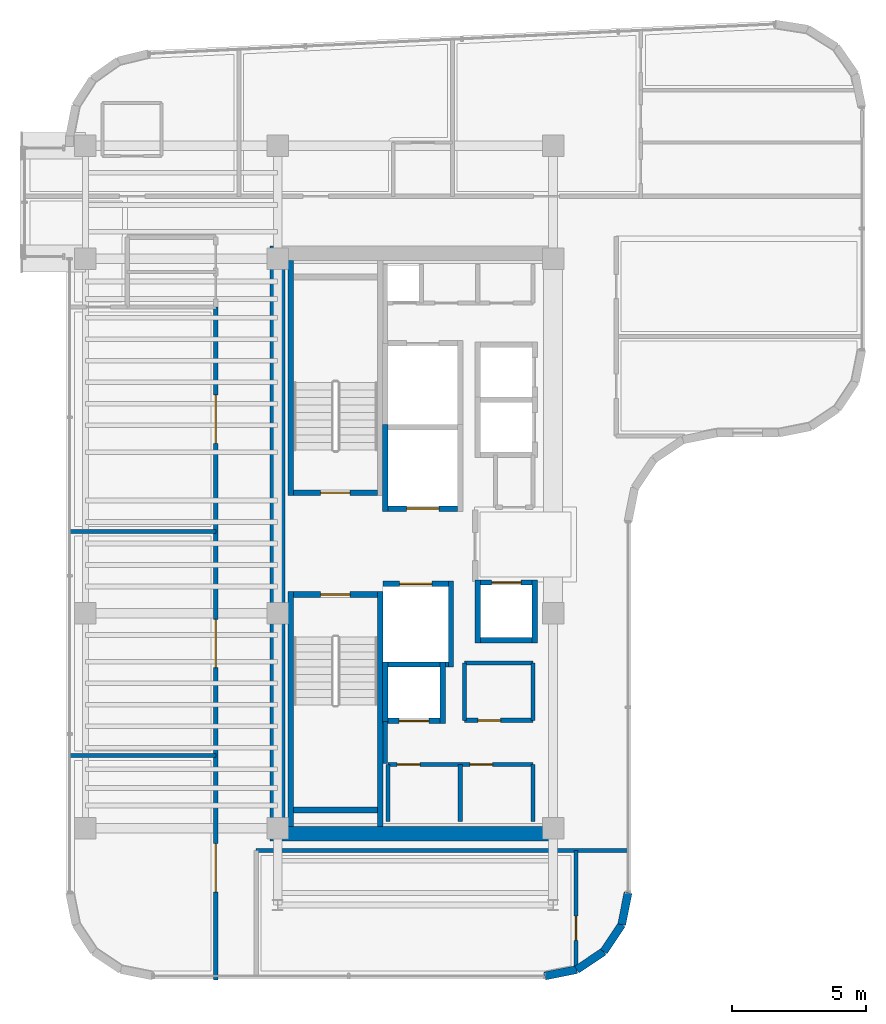
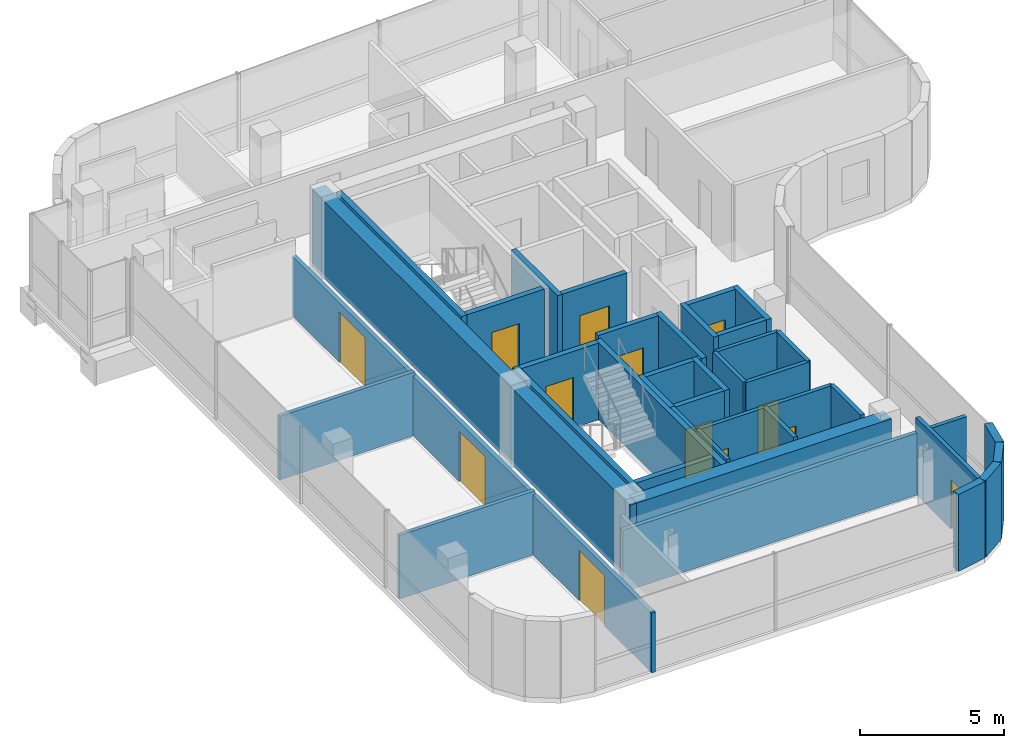
# One storey, part 16 of 21: 38 walls, 13 doors, 13 openings.
"""IFC4 building model written with IfcOpenShell, lengths in metres."""

import ifcopenshell
import ifcopenshell.guid

model = None  # the IFC model being written
_history = None  # IfcOwnerHistory: only IFC2X3 demands one
_inside = {}  # id of a spatial element -> (the spatial element, [elements in it])
_under = {}  # id of a project, library or spatial element -> (it, [spatial elements below it])
_declared = {}  # id of a project -> (the project, [libraries it declares])
_typed = {}  # id of a type object -> (the type object, [elements of that type])
_made_of = {}  # id of a material, layer set ... -> (it, [elements and type objects made of it])


def new_model(schema):
    """Start an empty IFC model of exactly this schema.

    Asked for "IFC4X3", IfcOpenShell would pick the latest addendum, in which some entities
    have other attributes; the version numbers below select the first issue.
    IFC2X3 requires an IfcOwnerHistory on every rooted entity: one is made here for all.
    """
    global model, _history
    if schema == "IFC4X3":
        model = ifcopenshell.file(schema_version=(4, 3, 0, 0))
    else:
        model = ifcopenshell.file(schema=schema)
    _inside.clear()
    _under.clear()
    _declared.clear()
    _typed.clear()
    _made_of.clear()
    _history = None
    if model.schema == "IFC2X3":
        org = make("IfcOrganization", Name="unknown")
        user = make(
            "IfcPersonAndOrganization",
            ThePerson=make("IfcPerson", FamilyName="unknown"),
            TheOrganization=org,
        )
        app = make(
            "IfcApplication",
            ApplicationDeveloper=org,
            Version="unknown",
            ApplicationFullName="unknown",
            ApplicationIdentifier="unknown",
        )
        _history = make(
            "IfcOwnerHistory",
            OwningUser=user,
            OwningApplication=app,
            ChangeAction="ADDED",
            CreationDate=0,
        )
    return model


def make(cls, **values):
    """One entity of the class cls with the attributes given. An attribute that is None is left unset."""
    return model.create_entity(
        cls, **{name: value for name, value in values.items() if value is not None}
    )


def rooted(cls, **values):
    """An entity with a GlobalId (a new one), such as an element, a storey or a relation."""
    return make(cls, GlobalId=ifcopenshell.guid.new(), OwnerHistory=_history, **values)


def si_unit(unit_type, name, prefix=None):
    """IfcSIUnit, for example si_unit("LENGTHUNIT", "METRE", prefix="MILLI")."""
    return make("IfcSIUnit", UnitType=unit_type, Prefix=prefix, Name=name)


def assignment(units):
    """IfcUnitAssignment: the units of a project."""
    return None if units is None else make("IfcUnitAssignment", Units=units)


def point(xyz):
    """IfcCartesianPoint."""
    return None if xyz is None else make("IfcCartesianPoint", Coordinates=xyz)


def direction(xyz):
    """IfcDirection."""
    return None if xyz is None else make("IfcDirection", DirectionRatios=xyz)


def frame(location, z_axis=None, x_axis=None):
    """IfcAxis2Placement3D, a coordinate frame: its origin and axes. An axis left out is left unset."""
    return make(
        "IfcAxis2Placement3D",
        Location=point(location),
        Axis=direction(z_axis),
        RefDirection=direction(x_axis),
    )


def frame_2d(location, x_axis=None):
    """IfcAxis2Placement2D, a coordinate frame in the plane: its origin and x axis."""
    return make(
        "IfcAxis2Placement2D", Location=point(location), RefDirection=direction(x_axis)
    )


def origin():
    """The frame at (0, 0, 0) with its axes left unset."""
    return frame((0.0, 0.0, 0.0))


def place(relative_to, where):
    """IfcLocalPlacement: puts the frame where relative to a parent placement (None: the world)."""
    return make(
        "IfcLocalPlacement", PlacementRelTo=relative_to, RelativePlacement=where
    )


def context(
    kind, dimensions, precision=None, world=None, true_north=None, identifier=None
):
    """IfcGeometricRepresentationContext, for example the 3D "Model" context."""
    return make(
        "IfcGeometricRepresentationContext",
        ContextIdentifier=identifier,
        ContextType=kind,
        CoordinateSpaceDimension=dimensions,
        Precision=precision,
        WorldCoordinateSystem=world,
        TrueNorth=true_north,
    )


def subcontext(parent, identifier, kind, view, scale=None):
    """IfcGeometricRepresentationSubContext, for example "Body" below "Model"."""
    return make(
        "IfcGeometricRepresentationSubContext",
        ContextIdentifier=identifier,
        ContextType=kind,
        ParentContext=parent,
        TargetScale=scale,
        TargetView=view,
    )


def project(units=None, contexts=None):
    """IfcProject with its units and contexts."""
    return rooted(
        "IfcProject",
        Name="project",
        RepresentationContexts=contexts,
        UnitsInContext=assignment(units),
    )


def spatial(cls, under=None, at=None, **own):
    """A site, building, storey or space (cls), placed at a placement, below another one or the project."""
    s = rooted(cls, ObjectPlacement=at, **own)
    if under is not None:
        _under.setdefault(under.id(), (under, []))[1].append(s)
    return s


def profile(cls, at=None, kind="AREA", **sizes):
    """A parametric profile (cls). Its sizes go by their IFC names, for example OverallWidth=200.0."""
    return make(cls, ProfileType=kind, Position=at, **sizes)


def rectangle(**sizes):
    """IfcRectangleProfileDef."""
    return profile("IfcRectangleProfileDef", **sizes)


def extrude(swept, where, along, depth):
    """IfcExtrudedAreaSolid: the profile swept, set in the frame where, extruded along a direction by depth."""
    return make(
        "IfcExtrudedAreaSolid",
        SweptArea=swept,
        Position=where,
        ExtrudedDirection=direction(along),
        Depth=depth,
    )


def shape(context_of_items, identifier, shape_type, items):
    """IfcShapeRepresentation: the items that make up one representation, for example the "Body"."""
    return make(
        "IfcShapeRepresentation",
        ContextOfItems=context_of_items,
        RepresentationIdentifier=identifier,
        RepresentationType=shape_type,
        Items=items,
    )


def material(Name=None, Category=None):
    """IfcMaterial."""
    return make("IfcMaterial", Name=Name, Category=Category)


def layer(
    of_material, thickness, ventilated=None, Name=None, Category=None, Priority=None
):
    """IfcMaterialLayer: one layer of a wall or slab, of a material (None: an air gap)."""
    return make(
        "IfcMaterialLayer",
        Material=of_material,
        LayerThickness=thickness,
        IsVentilated=ventilated,
        Name=Name,
        Category=Category,
        Priority=Priority,
    )


def layer_set(layers, Name=None):
    """IfcMaterialLayerSet."""
    return make("IfcMaterialLayerSet", MaterialLayers=layers, LayerSetName=Name)


def made_of(thing, what):
    """Note that an element or type object is made of a material, layer set ...; save() writes the relation."""
    if what is not None:
        _made_of.setdefault(what.id(), (what, []))[1].append(thing)
    return thing


def type_object(cls, material=None, **own):
    """A type object (cls), such as IfcWallType, which elements share."""
    return made_of(rooted(cls, **own), material)


def element(
    cls,
    number,
    at=None,
    inside=None,
    cuts=None,
    type_object=None,
    material=None,
    context=None,
    identifier="Body",
    shape_type=None,
    held_by="IfcProductDefinitionShape",
    body=None,
    shapes=None,
    **own,
):
    """One element of the class cls, such as IfcWall. Its Tag is "e" and its number.

    at: its placement. inside: the storey or other place that contains it. cuts: it is an
    opening in that element (IfcRelVoidsElement). A single representation is given by context,
    identifier, shape_type and body (its items); several are given by shapes. held_by: the class
    of the entity that holds the representations. save() writes the other relations.
    """
    e = rooted(cls, Tag="e%d" % number, ObjectPlacement=at, **own)
    if body is not None:
        shapes = [shape(context, identifier, shape_type, body)]
    if shapes is not None:
        e.Representation = make(held_by, Representations=shapes)
    if inside is not None:
        _inside.setdefault(inside.id(), (inside, []))[1].append(e)
    if cuts is not None:
        rooted(
            "IfcRelVoidsElement", RelatingBuildingElement=cuts, RelatedOpeningElement=e
        )
    if type_object is not None:
        _typed.setdefault(type_object.id(), (type_object, []))[1].append(e)
    return made_of(e, material)


def fill(opening, filler):
    """IfcRelFillsElement: the door or window that sits in an opening."""
    return rooted(
        "IfcRelFillsElement",
        RelatingOpeningElement=opening,
        RelatedBuildingElement=filler,
    )


def aggregate(whole, parts):
    """IfcRelAggregates: a whole, such as a stair, and the parts it consists of."""
    return rooted("IfcRelAggregates", RelatingObject=whole, RelatedObjects=parts)


def save(model, path):
    """Write the relations noted so far, then the file.

    IfcRelAggregates (storeys below a building ...), IfcRelContainedInSpatialStructure (elements
    in a storey), IfcRelDefinesByType, IfcRelAssociatesMaterial and IfcRelDeclares: one each for
    every whole, place, type object, material and project.
    """
    for whole, parts in _under.values():
        aggregate(whole, parts)
    for where, things in _inside.values():
        rooted(
            "IfcRelContainedInSpatialStructure",
            RelatedElements=things,
            RelatingStructure=where,
        )
    for kind, things in _typed.values():
        rooted("IfcRelDefinesByType", RelatedObjects=things, RelatingType=kind)
    for what, things in _made_of.values():
        rooted("IfcRelAssociatesMaterial", RelatedObjects=things, RelatingMaterial=what)
    for by, libraries in _declared.values():
        rooted("IfcRelDeclares", RelatingContext=by, RelatedDefinitions=libraries)
    model.write(path)


model = new_model("IFC4")

# Units and contexts
model_context = context("Model", 3, precision=1e-05, world=origin(), true_north=direction((0.0, 1.0)))
body_context = subcontext(model_context, "Body", "Model", "MODEL_VIEW")
ifc_project = project(units=[si_unit("LENGTHUNIT", "METRE"), si_unit("AREAUNIT", "SQUARE_METRE"), si_unit("VOLUMEUNIT", "CUBIC_METRE"), si_unit("PLANEANGLEUNIT", "RADIAN"), si_unit("MASSUNIT", "GRAM", prefix="KILO")], contexts=[model_context])

# Site, building, storey
site_placement = place(None, origin())
site = spatial("IfcSite", under=ifc_project, at=site_placement, CompositionType="ELEMENT")
building_placement = place(site_placement, origin())
building = spatial("IfcBuilding", under=site, at=building_placement, Name="Valdorenza Pilgrim Sanctuary Tower", CompositionType="ELEMENT")
storey_placement = place(building_placement, frame((0.0, 0.0, 251.0)))
storey = spatial("IfcBuildingStorey", under=building, at=storey_placement, Name="L65", CompositionType="ELEMENT", Elevation=251.0)

# Wall
ifc_material_1 = material(Name="Acoustic twin-stud gypsum partition", Category="gypsum")
ifc_layer_1 = layer(ifc_material_1, 0.159912109375, Name="Acoustic twin-stud gypsum partition")
ifc_layer_set_1 = layer_set([ifc_layer_1], Name="Acoustic twin-stud gypsum partition")
wall_type_1 = type_object("IfcWallType", Name="WAL-COR-160", PredefinedType="PARTITIONING", material=ifc_layer_set_1)
wall_1_placement = place(storey_placement, frame((-18.64990234375, -8.179931640625, 0.0), z_axis=(0.0, 0.0, 1.0), x_axis=(0.0, 1.0, 0.0)))
element("IfcWall", 1, at=wall_1_placement, inside=storey, type_object=wall_type_1, Name="L65 Core A South Lift Hall West Wall", PredefinedType="PARTITIONING", context=body_context, shape_type="SweptSolid", body=[
    extrude(rectangle(XDim=1.559814453125, YDim=0.159912109375, at=frame_2d((0.77978515625, 0.0))), origin(), (0.0, 0.0, 1.0), 3.260009765625),
])

# Wall, openings, doors
wall_2_placement = place(storey_placement, frame((-18.550048828125, -8.219970703125, 0.0), z_axis=(0.0, 0.0, 1.0), x_axis=(1.0, 0.0, 0.0)))
wall_2 = element("IfcWall", 2, at=wall_2_placement, inside=storey, type_object=wall_type_1, Name="L65 Freed Shaft 1 North Wall", PredefinedType="PARTITIONING", context=body_context, shape_type="SweptSolid", body=[
    extrude(rectangle(XDim=5.400146484375, YDim=0.159912109375, at=frame_2d((2.7001953125, 0.0))), origin(), (0.0, 0.0, 1.0), 3.260009765625),
])
opening_1_placement = place(wall_2_placement, frame((0.35009765625, 0.0, 0.0)))
opening_1 = element("IfcOpeningElement", 3, at=opening_1_placement, cuts=wall_2, Name="Opening DR-RS1", PredefinedType="OPENING", context=body_context, shape_type="SweptSolid", body=[
    extrude(rectangle(XDim=0.85009765625, YDim=2.050048828125, at=frame_2d((0.425048828125, 1.02490234375))), frame((0.0, 0.0947265625, 0.0), z_axis=(0.0, -1.0, 0.0), x_axis=(1.0, 0.0, 0.0)), (0.0, 0.0, 1.0), 0.189697265625),
])
opening_2_placement = place(wall_2_placement, frame((3.050048828125, 0.0, 0.0)))
opening_2 = element("IfcOpeningElement", 4, at=opening_2_placement, cuts=wall_2, Name="Opening DR-RS1", PredefinedType="OPENING", context=body_context, shape_type="SweptSolid", body=[
    extrude(rectangle(XDim=0.85009765625, YDim=2.050048828125, at=frame_2d((0.425048828125, 1.02490234375))), frame((0.0, 0.0947265625, 0.0), z_axis=(0.0, -1.0, 0.0), x_axis=(1.0, 0.0, 0.0)), (0.0, 0.0, 1.0), 0.189697265625),
])
ifc_material_2 = material(Name="Painted galvanized steel", Category="steel")
door_type_1 = type_object("IfcDoorType", Name="DR-RSR-850", OperationType="NOTDEFINED", PredefinedType="DOOR", material=ifc_material_2)
door_1_placement = place(opening_1_placement, origin())
door_1 = element("IfcDoor", 5, at=door_1_placement, inside=storey, type_object=door_type_1, Name="L65 Linen Store Door", OperationType="SINGLE_SWING_RIGHT", OverallHeight=2.050048828125, OverallWidth=0.85009765625, PredefinedType="DOOR", context=body_context, shape_type="SweptSolid", body=[
    extrude(rectangle(XDim=0.85009765625, YDim=2.050048828125, at=frame_2d((0.425048828125, 1.02490234375))), frame((0.0, 0.02490234375, 0.0), z_axis=(0.0, -1.0, 0.0), x_axis=(1.0, 0.0, 0.0)), (0.0, 0.0, 1.0), 0.050048828125),
])
fill(opening_1, door_1)
door_2_placement = place(opening_2_placement, origin())
door_2 = element("IfcDoor", 6, at=door_2_placement, inside=storey, type_object=door_type_1, Name="L65 Cot Store Door", OperationType="SINGLE_SWING_LEFT", OverallHeight=2.050048828125, OverallWidth=0.85009765625, PredefinedType="DOOR", context=body_context, shape_type="SweptSolid", body=[
    extrude(rectangle(XDim=0.85009765625, YDim=2.050048828125, at=frame_2d((0.425048828125, 1.02490234375))), frame((0.0, 0.02490234375, 0.0), z_axis=(0.0, -1.0, 0.0), x_axis=(1.0, 0.0, 0.0)), (0.0, 0.0, 1.0), 0.050048828125),
])
fill(opening_2, door_2)

# Walls
for number, where, z_axis, x_axis, name in (
    (7, (-13.14990234375, -10.35009765625, 0.0), (0.0, 0.0, 1.0), (0.0, 1.0, 0.0), "L65 Freed Shaft 1 East Wall"),
    (8, (-15.85009765625, -10.35009765625, 0.0), (0.0, 0.0, 1.0), (0.0, 1.0, 0.0), "L65 Freed Shaft 1 Split Wall"),
):
    element("IfcWall", number, at=place(storey_placement, frame(where, z_axis=z_axis, x_axis=x_axis)), inside=storey, type_object=wall_type_1, Name=name, PredefinedType="PARTITIONING", context=body_context, shape_type="SweptSolid", body=[
        extrude(rectangle(XDim=2.130126953125, YDim=0.159912109375, at=frame_2d((1.06494140625, 0.0))), origin(), (0.0, 0.0, 1.0), 3.260009765625),
    ])

# Wall, opening, door
wall_3_placement = place(storey_placement, frame((-15.699951171875, -6.580078125, 0.0), z_axis=(0.0, 0.0, 1.0), x_axis=(1.0, 0.0, 0.0)))
wall_3 = element("IfcWall", 9, at=wall_3_placement, inside=storey, type_object=wall_type_1, Name="L65 Freed Shaft 2 South Wall", PredefinedType="PARTITIONING", context=body_context, shape_type="SweptSolid", body=[
    extrude(rectangle(XDim=2.550048828125, YDim=0.159912109375, at=frame_2d((1.27490234375, 0.0))), origin(), (0.0, 0.0, 1.0), 3.260009765625),
])
opening_3_placement = place(wall_3_placement, frame((0.5, 0.0, 0.0)))
opening_3 = element("IfcOpeningElement", 10, at=opening_3_placement, cuts=wall_3, Name="Opening DR-RS1", PredefinedType="OPENING", context=body_context, shape_type="SweptSolid", body=[
    extrude(rectangle(XDim=0.85009765625, YDim=2.050048828125, at=frame_2d((0.425048828125, 1.02490234375))), frame((0.0, 0.0947265625, 0.0), z_axis=(0.0, -1.0, 0.0), x_axis=(1.0, 0.0, 0.0)), (0.0, 0.0, 1.0), 0.189697265625),
])
door_3_placement = place(opening_3_placement, origin())
door_3 = element("IfcDoor", 11, at=door_3_placement, inside=storey, type_object=door_type_1, Name="L65 Guest Tea Pantry Door", OperationType="SINGLE_SWING_RIGHT", OverallHeight=2.050048828125, OverallWidth=0.85009765625, PredefinedType="DOOR", context=body_context, shape_type="SweptSolid", body=[
    extrude(rectangle(XDim=0.85009765625, YDim=2.050048828125, at=frame_2d((0.425048828125, 1.02490234375))), frame((0.0, 0.02490234375, 0.0), z_axis=(0.0, -1.0, 0.0), x_axis=(1.0, 0.0, 0.0)), (0.0, 0.0, 1.0), 0.050048828125),
])
fill(opening_3, door_3)

# Walls
wall_4_placement = place(storey_placement, frame((-13.14990234375, -6.580078125, 0.0), z_axis=(0.0, 0.0, 1.0), x_axis=(0.0, 1.0, 0.0)))
element("IfcWall", 12, at=wall_4_placement, inside=storey, type_object=wall_type_1, Name="L65 Freed Shaft 2 East Wall", PredefinedType="PARTITIONING", context=body_context, shape_type="SweptSolid", body=[
    extrude(rectangle(XDim=2.130126953125, YDim=0.159912109375, at=frame_2d((1.06494140625, 0.0))), origin(), (0.0, 0.0, 1.0), 3.260009765625),
])
wall_5_placement = place(storey_placement, frame((-23.449951171875, -11.419921875, 0.0), z_axis=(0.0, 0.0, 1.0), x_axis=(1.0, 0.0, 0.0)))
element("IfcWall", 13, at=wall_5_placement, inside=storey, type_object=wall_type_1, Name="L65 South-East Pocket North Wall", PredefinedType="PARTITIONING", context=body_context, shape_type="SweptSolid", body=[
    extrude(rectangle(XDim=13.83984375, YDim=0.159912109375, at=frame_2d((6.919921875, 0.0))), origin(), (0.0, 0.0, 1.0), 2.634033203125),
])

# Wall, openings, doors
wall_6_placement = place(storey_placement, frame((-24.949951171875, -16.239990234375, 0.0), z_axis=(0.0, 0.0, 1.0), x_axis=(0.0, 1.0, 0.0)))
wall_6 = element("IfcWall", 14, at=wall_6_placement, inside=storey, type_object=wall_type_1, Name="L65 West Wing Corridor Wall", PredefinedType="PARTITIONING", context=body_context, shape_type="SweptSolid", body=[
    extrude(rectangle(XDim=25.0400390625, YDim=0.159912109375, at=frame_2d((12.52001953125, 0.0))), origin(), (0.0, 0.0, 1.0), 2.5439453125),
])
opening_4_placement = place(wall_6_placement, frame((3.27294921875, 0.0, 0.0)))
opening_4 = element("IfcOpeningElement", 15, at=opening_4_placement, cuts=wall_6, Name="Opening DR-HL1", PredefinedType="OPENING", context=body_context, shape_type="SweptSolid", body=[
    extrude(rectangle(XDim=1.800048828125, YDim=2.14990234375, at=frame_2d((0.89990234375, 1.074951171875))), frame((0.0, 0.0947265625, 0.0), z_axis=(0.0, -1.0, 0.0), x_axis=(1.0, 0.0, 0.0)), (0.0, 0.0, 1.0), 0.189697265625),
])
opening_5_placement = place(wall_6_placement, frame((11.6201171875, 0.0, 0.0)))
opening_5 = element("IfcOpeningElement", 16, at=opening_5_placement, cuts=wall_6, Name="Opening DR-HL1", PredefinedType="OPENING", context=body_context, shape_type="SweptSolid", body=[
    extrude(rectangle(XDim=1.800048828125, YDim=2.14990234375, at=frame_2d((0.89990234375, 1.074951171875))), frame((0.0, 0.0947265625, 0.0), z_axis=(0.0, -1.0, 0.0), x_axis=(1.0, 0.0, 0.0)), (0.0, 0.0, 1.0), 0.189697265625),
])
opening_6_placement = place(wall_6_placement, frame((19.967041015625, 0.0, 0.0)))
opening_6 = element("IfcOpeningElement", 17, at=opening_6_placement, cuts=wall_6, Name="Opening DR-HL1", PredefinedType="OPENING", context=body_context, shape_type="SweptSolid", body=[
    extrude(rectangle(XDim=1.800048828125, YDim=2.14990234375, at=frame_2d((0.89990234375, 1.074951171875))), frame((0.0, 0.0947265625, 0.0), z_axis=(0.0, -1.0, 0.0), x_axis=(1.0, 0.0, 0.0)), (0.0, 0.0, 1.0), 0.189697265625),
])
ifc_material_3 = material(Name="Acoustic oak and vision-glass double door", Category="glass")
door_type_2 = type_object("IfcDoorType", Name="DR-HALL-1800", OperationType="NOTDEFINED", PredefinedType="DOOR", material=ifc_material_3)
door_4_placement = place(opening_4_placement, frame((1.800048828125, 0.0, 0.0), z_axis=(0.0, 0.0, 1.0), x_axis=(-1.0, 0.0, 0.0)))
door_4 = element("IfcDoor", 18, at=door_4_placement, inside=storey, type_object=door_type_2, Name="L65 Theological Seminar Classroom L65-W1 Door", OperationType="DOUBLE_DOOR_SINGLE_SWING", OverallHeight=2.14990234375, OverallWidth=1.800048828125, PredefinedType="DOOR", context=body_context, shape_type="SweptSolid", body=[
    extrude(rectangle(XDim=1.800048828125, YDim=2.14990234375, at=frame_2d((0.89990234375, 1.074951171875))), frame((0.0, 0.02490234375, 0.0), z_axis=(0.0, -1.0, 0.0), x_axis=(1.0, 0.0, 0.0)), (0.0, 0.0, 1.0), 0.050048828125),
])
fill(opening_4, door_4)
door_5_placement = place(opening_5_placement, origin())
door_5 = element("IfcDoor", 19, at=door_5_placement, inside=storey, type_object=door_type_2, Name="L65 Theological Seminar Classroom L65-W2 Door", OperationType="DOUBLE_DOOR_SINGLE_SWING", OverallHeight=2.14990234375, OverallWidth=1.800048828125, PredefinedType="DOOR", context=body_context, shape_type="SweptSolid", body=[
    extrude(rectangle(XDim=1.800048828125, YDim=2.14990234375, at=frame_2d((0.89990234375, 1.074951171875))), frame((0.0, 0.02490234375, 0.0), z_axis=(0.0, -1.0, 0.0), x_axis=(1.0, 0.0, 0.0)), (0.0, 0.0, 1.0), 0.050048828125),
])
fill(opening_5, door_5)
door_6_placement = place(opening_6_placement, frame((1.800048828125, 0.0, 0.0), z_axis=(0.0, 0.0, 1.0), x_axis=(-1.0, 0.0, 0.0)))
door_6 = element("IfcDoor", 20, at=door_6_placement, inside=storey, type_object=door_type_2, Name="L65 Theological Seminar Classroom L65-W3 Door", OperationType="DOUBLE_DOOR_SINGLE_SWING", OverallHeight=2.14990234375, OverallWidth=1.800048828125, PredefinedType="DOOR", context=body_context, shape_type="SweptSolid", body=[
    extrude(rectangle(XDim=1.800048828125, YDim=2.14990234375, at=frame_2d((0.89990234375, 1.074951171875))), frame((0.0, 0.02490234375, 0.0), z_axis=(0.0, -1.0, 0.0), x_axis=(1.0, 0.0, 0.0)), (0.0, 0.0, 1.0), 0.050048828125),
])
fill(opening_6, door_6)

# Wall, opening, door
wall_7_placement = place(storey_placement, frame((-11.550048828125, -15.7236328125, 0.0), z_axis=(0.0, 0.0, 1.0), x_axis=(0.0, 1.0, 0.0)))
wall_7 = element("IfcWall", 21, at=wall_7_placement, inside=storey, type_object=wall_type_1, Name="L65 South-East Concourse Wall", PredefinedType="PARTITIONING", context=body_context, shape_type="SweptSolid", body=[
    extrude(rectangle(XDim=4.3037109375, YDim=0.159912109375, at=frame_2d((2.15185546875, 0.0))), origin(), (0.0, 0.0, 1.0), 3.260009765625),
])
opening_7_placement = place(wall_7_placement, frame((0.9599609375, 0.0, 0.0)))
opening_7 = element("IfcOpeningElement", 22, at=opening_7_placement, cuts=wall_7, Name="Opening DR-RM1", PredefinedType="OPENING", context=body_context, shape_type="SweptSolid", body=[
    extrude(rectangle(XDim=0.89990234375, YDim=2.10009765625, at=frame_2d((0.449951171875, 1.050048828125))), frame((0.0, 0.0947265625, 0.0), z_axis=(0.0, -1.0, 0.0), x_axis=(1.0, 0.0, 0.0)), (0.0, 0.0, 1.0), 0.189697265625),
])
ifc_material_4 = material(Name="Solid-core European oak timber", Category="wood")
door_type_3 = type_object("IfcDoorType", Name="DR-ROOM-900", OperationType="NOTDEFINED", PredefinedType="DOOR", material=ifc_material_4)
door_7_placement = place(opening_7_placement, origin())
door_7 = element("IfcDoor", 23, at=door_7_placement, inside=storey, type_object=door_type_3, Name="L65 South Contemplation Lounge L65 Door", OperationType="SINGLE_SWING_RIGHT", OverallHeight=2.10009765625, OverallWidth=0.89990234375, PredefinedType="DOOR", context=body_context, shape_type="SweptSolid", body=[
    extrude(rectangle(XDim=0.89990234375, YDim=2.10009765625, at=frame_2d((0.449951171875, 1.050048828125))), frame((0.0, 0.02490234375, 0.0), z_axis=(0.0, -1.0, 0.0), x_axis=(1.0, 0.0, 0.0)), (0.0, 0.0, 1.0), 0.050048828125),
])
fill(opening_7, door_7)

# Walls
ifc_material_5 = material(Name="Concrete C50/60", Category="concrete")
ifc_layer_2 = layer(ifc_material_5, 0.550048828125, Name="Concrete C50/60")
ifc_layer_set_2 = layer_set([ifc_layer_2], Name="Concrete C50/60")
wall_type_2 = type_object("IfcWallType", Name="WAL-COR-550", PredefinedType="SHEAR", material=ifc_layer_set_2)
wall_8_placement = place(storey_placement, frame((-22.64990234375, -11.074951171875, 0.0), z_axis=(0.0, 0.0, 1.0), x_axis=(0.0, 1.0, 0.0)))
element("IfcWall", 24, at=wall_8_placement, inside=storey, type_object=wall_type_2, Name="L65 Split Core A Shear Wall W", PredefinedType="SHEAR", context=body_context, shape_type="SweptSolid", body=[
    extrude(rectangle(XDim=22.14990234375, YDim=0.550048828125, at=frame_2d((11.074951171875, 0.0))), origin(), (0.0, 0.0, 1.0), 3.260009765625),
])
wall_9_placement = place(storey_placement, frame((-22.64990234375, -10.800048828125, 0.0), z_axis=(0.0, 0.0, 1.0), x_axis=(1.0, 0.0, 0.0)))
element("IfcWall", 25, at=wall_9_placement, inside=storey, type_object=wall_type_2, Name="L65 Split Core A Shear Wall S", PredefinedType="SHEAR", context=body_context, shape_type="SweptSolid", body=[
    extrude(rectangle(XDim=10.25, YDim=0.550048828125, at=frame_2d((5.125, 0.0))), origin(), (0.0, 0.0, 1.0), 3.260009765625),
])
ifc_material_6 = material(Name="Honed travertine limestone", Category="masonry")
ifc_layer_3 = layer(ifc_material_6, 0.300048828125, Name="Honed travertine limestone")
ifc_layer_set_3 = layer_set([ifc_layer_3], Name="Honed travertine limestone")
wall_type_3 = type_object("IfcWallType", Name="WAL-EXT-300", PredefinedType="SOLIDWALL", material=ifc_layer_set_3)
wall_10_placement = place(storey_placement, frame((-9.610107421875, -12.9892578125, 0.0), z_axis=(0.0, 0.0, 1.0), x_axis=(-0.194996050505, -0.980804027463, 0.0)))
element("IfcWall", 26, at=wall_10_placement, inside=storey, type_object=wall_type_3, Name="L65 Rounded Wind-Corner Stone Pier 22", PredefinedType="SOLIDWALL", context=body_context, shape_type="SweptSolid", body=[
    extrude(rectangle(XDim=1.2158203125, YDim=0.300048828125, at=frame_2d((0.60791015625, 0.0))), origin(), (0.0, 0.0, 1.0), 3.260009765625),
])
for number, where, z_axis, x_axis, name in (
    (27, (-9.84716796875, -14.181640625, 0.0), (0.0, 0.0, 1.0), (-0.555635100982, -0.831426265255, 0.0), "L65 Rounded Wind-Corner Stone Pier 23"),
    (28, (-10.5166015625, -15.183349609375, 0.0), (0.0, 0.0, 1.0), (-0.831426265255, -0.555635100982, 0.0), "L65 Rounded Wind-Corner Stone Pier 24"),
):
    element("IfcWall", number, at=place(storey_placement, frame(where, z_axis=z_axis, x_axis=x_axis)), inside=storey, type_object=wall_type_3, Name=name, PredefinedType="SOLIDWALL", context=body_context, shape_type="SweptSolid", body=[
        extrude(rectangle(XDim=1.204833984375, YDim=0.300048828125, at=frame_2d((0.6025390625, 0.0))), origin(), (0.0, 0.0, 1.0), 3.260009765625),
    ])
wall_11_placement = place(storey_placement, frame((-11.518310546875, -15.852783203125, 0.0), z_axis=(0.0, 0.0, 1.0), x_axis=(-0.980765602568, -0.195189223115, 0.0)))
element("IfcWall", 29, at=wall_11_placement, inside=storey, type_object=wall_type_3, Name="L65 Rounded Wind-Corner Stone Pier 25", PredefinedType="SOLIDWALL", context=body_context, shape_type="SweptSolid", body=[
    extrude(rectangle(XDim=1.2158203125, YDim=0.300048828125, at=frame_2d((0.60791015625, 0.0))), origin(), (0.0, 0.0, 1.0), 3.260009765625),
])
ifc_material_7 = material(Name="Autoclaved aerated concrete blockwork", Category="masonry")
ifc_layer_4 = layer(ifc_material_7, 0.199951171875, Name="Autoclaved aerated concrete blockwork")
ifc_layer_set_4 = layer_set([ifc_layer_4], Name="Autoclaved aerated concrete blockwork")
wall_type_4 = type_object("IfcWallType", Name="WAL-SHF-200", PredefinedType="MOVABLE", material=ifc_layer_set_4)
wall_12_placement = place(storey_placement, frame((-18.64990234375, 1.199951171875, 0.0), z_axis=(0.0, 0.0, 1.0), x_axis=(0.0, 1.0, 0.0)))
element("IfcWall", 30, at=wall_12_placement, inside=storey, type_object=wall_type_4, Name="L65 Lift FFL-01 Hoistway Wall West", PredefinedType="MOVABLE", context=body_context, shape_type="SweptSolid", body=[
    extrude(rectangle(XDim=3.22509765625, YDim=0.199951171875, at=frame_2d((1.612548828125, 0.0))), origin(), (0.0, 0.0, 1.0), 3.260009765625),
])

# Wall, opening, door
wall_13_placement = place(storey_placement, frame((-18.550048828125, 1.300048828125, 0.0), z_axis=(0.0, 0.0, 1.0), x_axis=(1.0, 0.0, 0.0)))
wall_13 = element("IfcWall", 31, at=wall_13_placement, inside=storey, type_object=wall_type_4, Name="L65 Lift FFL-01 Hoistway Wall South", PredefinedType="MOVABLE", context=body_context, shape_type="SweptSolid", body=[
    extrude(rectangle(XDim=2.60009765625, YDim=0.199951171875, at=frame_2d((1.300048828125, 0.0))), origin(), (0.0, 0.0, 1.0), 3.260009765625),
])
opening_8_placement = place(wall_13_placement, frame((0.699951171875, 0.0, 0.0)))
opening_8 = element("IfcOpeningElement", 32, at=opening_8_placement, cuts=wall_13, Name="Opening LD-02", PredefinedType="OPENING", context=body_context, shape_type="SweptSolid", body=[
    extrude(rectangle(XDim=1.199951171875, YDim=2.10009765625, at=frame_2d((0.60009765625, 1.050048828125))), frame((0.0, 0.11474609375, 0.0), z_axis=(0.0, -1.0, 0.0), x_axis=(1.0, 0.0, 0.0)), (0.0, 0.0, 1.0), 0.229736328125),
])
ifc_material_8 = material(Name="Brushed stainless steel Grade 316", Category="steel")
door_type_4 = type_object("IfcDoorType", Name="DR-LFT-1200", OperationType="DOUBLE_DOOR_SLIDING", PredefinedType="DOOR", material=ifc_material_8)
door_8_placement = place(opening_8_placement, origin())
door_8 = element("IfcDoor", 33, at=door_8_placement, inside=storey, type_object=door_type_4, Name="L65 Lift FFL-01 Sliding Landing Door", OperationType="DOUBLE_DOOR_SLIDING", OverallHeight=2.10009765625, OverallWidth=1.199951171875, PredefinedType="DOOR", context=body_context, shape_type="SweptSolid", body=[
    extrude(rectangle(XDim=1.199951171875, YDim=2.10009765625, at=frame_2d((0.60009765625, 1.050048828125))), frame((0.0, 0.02490234375, 0.0), z_axis=(0.0, -1.0, 0.0), x_axis=(1.0, 0.0, 0.0)), (0.0, 0.0, 1.0), 0.050048828125),
])
fill(opening_8, door_8)

# Walls
wall_14_placement = place(storey_placement, frame((-16.199951171875, -4.60009765625, 0.0), z_axis=(0.0, 0.0, 1.0), x_axis=(0.0, 1.0, 0.0)))
element("IfcWall", 34, at=wall_14_placement, inside=storey, type_object=wall_type_4, Name="L65 Lift FFL-02 Hoistway Wall East", PredefinedType="MOVABLE", context=body_context, shape_type="SweptSolid", body=[
    extrude(rectangle(XDim=3.2001953125, YDim=0.199951171875, at=frame_2d((1.60009765625, 0.0))), origin(), (0.0, 0.0, 1.0), 3.260009765625),
])
wall_15_placement = place(storey_placement, frame((-18.719970703125, -4.5, 0.0), z_axis=(0.0, 0.0, 1.0), x_axis=(1.0, 0.0, 0.0)))
element("IfcWall", 35, at=wall_15_placement, inside=storey, type_object=wall_type_4, Name="L65 Lift FFL-02 Hoistway Wall South", PredefinedType="MOVABLE", context=body_context, shape_type="SweptSolid", body=[
    extrude(rectangle(XDim=2.419921875, YDim=0.199951171875, at=frame_2d((1.2099609375, 0.0))), origin(), (0.0, 0.0, 1.0), 3.260009765625),
])

# Wall, opening, door
wall_16_placement = place(storey_placement, frame((-18.719970703125, -1.5, 0.0), z_axis=(0.0, 0.0, 1.0), x_axis=(1.0, 0.0, 0.0)))
wall_16 = element("IfcWall", 36, at=wall_16_placement, inside=storey, type_object=wall_type_4, Name="L65 Lift FFL-02 Hoistway Wall North", PredefinedType="MOVABLE", context=body_context, shape_type="SweptSolid", body=[
    extrude(rectangle(XDim=2.419921875, YDim=0.199951171875, at=frame_2d((1.2099609375, 0.0))), origin(), (0.0, 0.0, 1.0), 3.260009765625),
])
opening_9_placement = place(wall_16_placement, frame((0.610107421875, 0.0, 0.0)))
opening_9 = element("IfcOpeningElement", 37, at=opening_9_placement, cuts=wall_16, Name="Opening LD-02", PredefinedType="OPENING", context=body_context, shape_type="SweptSolid", body=[
    extrude(rectangle(XDim=1.199951171875, YDim=2.10009765625, at=frame_2d((0.60009765625, 1.050048828125))), frame((0.0, 0.11474609375, 0.0), z_axis=(0.0, -1.0, 0.0), x_axis=(1.0, 0.0, 0.0)), (0.0, 0.0, 1.0), 0.229736328125),
])
door_9_placement = place(opening_9_placement, origin())
door_9 = element("IfcDoor", 38, at=door_9_placement, inside=storey, type_object=door_type_4, Name="L65 Lift FFL-02 Sliding Landing Door", OperationType="DOUBLE_DOOR_SLIDING", OverallHeight=2.10009765625, OverallWidth=1.199951171875, PredefinedType="DOOR", context=body_context, shape_type="SweptSolid", body=[
    extrude(rectangle(XDim=1.199951171875, YDim=2.10009765625, at=frame_2d((0.60009765625, 1.050048828125))), frame((0.0, 0.02490234375, 0.0), z_axis=(0.0, -1.0, 0.0), x_axis=(1.0, 0.0, 0.0)), (0.0, 0.0, 1.0), 0.050048828125),
])
fill(opening_9, door_9)

# Walls
for number, where, z_axis, x_axis, name in (
    (39, (-18.64990234375, -6.699951171875, 0.0), (0.0, 0.0, 1.0), (0.0, 1.0, 0.0), "L65 Lift PL-11 Hoistway Wall West"),
    (40, (-16.5, -6.699951171875, 0.0), (0.0, 0.0, 1.0), (0.0, 1.0, 0.0), "L65 Lift PL-11 Hoistway Wall East"),
):
    element("IfcWall", number, at=place(storey_placement, frame(where, z_axis=z_axis, x_axis=x_axis)), inside=storey, type_object=wall_type_4, Name=name, PredefinedType="MOVABLE", context=body_context, shape_type="SweptSolid", body=[
        extrude(rectangle(XDim=2.300048828125, YDim=0.199951171875, at=frame_2d((1.14990234375, 0.0))), origin(), (0.0, 0.0, 1.0), 3.260009765625),
    ])

# Wall, opening, door
wall_17_placement = place(storey_placement, frame((-18.550048828125, -6.60009765625, 0.0), z_axis=(0.0, 0.0, 1.0), x_axis=(1.0, 0.0, 0.0)))
wall_17 = element("IfcWall", 41, at=wall_17_placement, inside=storey, type_object=wall_type_4, Name="L65 Lift PL-11 Hoistway Wall South", PredefinedType="MOVABLE", context=body_context, shape_type="SweptSolid", body=[
    extrude(rectangle(XDim=1.949951171875, YDim=0.199951171875, at=frame_2d((0.97509765625, 0.0))), origin(), (0.0, 0.0, 1.0), 3.260009765625),
])
opening_10_placement = place(wall_17_placement, frame((0.425048828125, 0.0, 0.0)))
opening_10 = element("IfcOpeningElement", 42, at=opening_10_placement, cuts=wall_17, Name="Opening LD-01", PredefinedType="OPENING", context=body_context, shape_type="SweptSolid", body=[
    extrude(rectangle(XDim=1.10009765625, YDim=2.10009765625, at=frame_2d((0.550048828125, 1.050048828125))), frame((0.0, 0.11474609375, 0.0), z_axis=(0.0, -1.0, 0.0), x_axis=(1.0, 0.0, 0.0)), (0.0, 0.0, 1.0), 0.229736328125),
])
door_type_5 = type_object("IfcDoorType", Name="DR-LFT-1100", OperationType="DOUBLE_DOOR_SLIDING", PredefinedType="DOOR", material=ifc_material_8)
door_10_placement = place(opening_10_placement, origin())
door_10 = element("IfcDoor", 43, at=door_10_placement, inside=storey, type_object=door_type_5, Name="L65 Lift PL-11 Sliding Landing Door", OperationType="DOUBLE_DOOR_SLIDING", OverallHeight=2.10009765625, OverallWidth=1.10009765625, PredefinedType="DOOR", context=body_context, shape_type="SweptSolid", body=[
    extrude(rectangle(XDim=1.10009765625, YDim=2.10009765625, at=frame_2d((0.550048828125, 1.050048828125))), frame((0.0, 0.02490234375, 0.0), z_axis=(0.0, -1.0, 0.0), x_axis=(1.0, 0.0, 0.0)), (0.0, 0.0, 1.0), 0.050048828125),
])
fill(opening_10, door_10)

# Walls
for number, where, z_axis, x_axis, name in (
    (44, (-15.199951171875, -3.699951171875, 0.0), (0.0, 0.0, 1.0), (0.0, 1.0, 0.0), "L65 Lift PL-12 Hoistway Wall West"),
    (45, (-13.080078125, -3.699951171875, 0.0), (0.0, 0.0, 1.0), (0.0, 1.0, 0.0), "L65 Lift PL-12 Hoistway Wall East"),
):
    element("IfcWall", number, at=place(storey_placement, frame(where, z_axis=z_axis, x_axis=x_axis)), inside=storey, type_object=wall_type_4, Name=name, PredefinedType="MOVABLE", context=body_context, shape_type="SweptSolid", body=[
        extrude(rectangle(XDim=2.349853515625, YDim=0.199951171875, at=frame_2d((1.1748046875, 0.0))), origin(), (0.0, 0.0, 1.0), 3.260009765625),
    ])
wall_18_placement = place(storey_placement, frame((-15.10009765625, -3.60009765625, 0.0), z_axis=(0.0, 0.0, 1.0), x_axis=(1.0, 0.0, 0.0)))
element("IfcWall", 46, at=wall_18_placement, inside=storey, type_object=wall_type_4, Name="L65 Lift PL-12 Hoistway Wall South", PredefinedType="MOVABLE", context=body_context, shape_type="SweptSolid", body=[
    extrude(rectangle(XDim=1.920166015625, YDim=0.199951171875, at=frame_2d((0.9599609375, 0.0))), origin(), (0.0, 0.0, 1.0), 3.260009765625),
])

# Wall, opening, door
wall_19_placement = place(storey_placement, frame((-15.10009765625, -1.449951171875, 0.0), z_axis=(0.0, 0.0, 1.0), x_axis=(1.0, 0.0, 0.0)))
wall_19 = element("IfcWall", 47, at=wall_19_placement, inside=storey, type_object=wall_type_4, Name="L65 Lift PL-12 Hoistway Wall North", PredefinedType="MOVABLE", context=body_context, shape_type="SweptSolid", body=[
    extrude(rectangle(XDim=1.920166015625, YDim=0.199951171875, at=frame_2d((0.9599609375, 0.0))), origin(), (0.0, 0.0, 1.0), 3.260009765625),
])
opening_11_placement = place(wall_19_placement, frame((0.409912109375, 0.0, 0.0)))
opening_11 = element("IfcOpeningElement", 48, at=opening_11_placement, cuts=wall_19, Name="Opening LD-01", PredefinedType="OPENING", context=body_context, shape_type="SweptSolid", body=[
    extrude(rectangle(XDim=1.10009765625, YDim=2.10009765625, at=frame_2d((0.550048828125, 1.050048828125))), frame((0.0, 0.11474609375, 0.0), z_axis=(0.0, -1.0, 0.0), x_axis=(1.0, 0.0, 0.0)), (0.0, 0.0, 1.0), 0.229736328125),
])
door_11_placement = place(opening_11_placement, origin())
door_11 = element("IfcDoor", 49, at=door_11_placement, inside=storey, type_object=door_type_5, Name="L65 Lift PL-12 Sliding Landing Door", OperationType="DOUBLE_DOOR_SLIDING", OverallHeight=2.10009765625, OverallWidth=1.10009765625, PredefinedType="DOOR", context=body_context, shape_type="SweptSolid", body=[
    extrude(rectangle(XDim=1.10009765625, YDim=2.10009765625, at=frame_2d((0.550048828125, 1.050048828125))), frame((0.0, 0.02490234375, 0.0), z_axis=(0.0, -1.0, 0.0), x_axis=(1.0, 0.0, 0.0)), (0.0, 0.0, 1.0), 0.050048828125),
])
fill(opening_11, door_11)

# Wall
ifc_material_9 = material(Name="Concrete C40/50", Category="concrete")
ifc_layer_5 = layer(ifc_material_9, 0.219970703125, Name="Concrete C40/50")
ifc_layer_set_5 = layer_set([ifc_layer_5], Name="Concrete C40/50")
wall_type_5 = type_object("IfcWallType", Name="WAL-STR-SHF-220", PredefinedType="SHEAR", material=ifc_layer_set_5)
wall_20_placement = place(storey_placement, frame((-22.159912109375, 1.780029296875, 0.0), z_axis=(0.0, 0.0, 1.0), x_axis=(0.0, 1.0, 0.0)))
element("IfcWall", 50, at=wall_20_placement, inside=storey, type_object=wall_type_5, Name="L65 ST-A1 Structural Stairwell Wall W", PredefinedType="SHEAR", context=body_context, shape_type="SweptSolid", body=[
    extrude(rectangle(XDim=8.744873046875, YDim=0.219970703125, at=frame_2d((4.37255859375, 0.0))), origin(), (0.0, 0.0, 1.0), 3.260009765625),
])

# Wall, opening, door
wall_21_placement = place(storey_placement, frame((-22.050048828125, 1.889892578125, 0.0), z_axis=(0.0, 0.0, 1.0), x_axis=(1.0, 0.0, 0.0)))
wall_21 = element("IfcWall", 51, at=wall_21_placement, inside=storey, type_object=wall_type_5, Name="L65 ST-A1 Structural Stairwell Wall S", PredefinedType="SHEAR", context=body_context, shape_type="SweptSolid", body=[
    extrude(rectangle(XDim=3.110107421875, YDim=0.219970703125, at=frame_2d((1.55517578125, 0.0))), origin(), (0.0, 0.0, 1.0), 3.260009765625),
])
opening_12_placement = place(wall_21_placement, frame((1.0, 0.0, 0.0)))
opening_12 = element("IfcOpeningElement", 52, at=opening_12_placement, cuts=wall_21, Name="Opening DR-ST1", PredefinedType="OPENING", context=body_context, shape_type="SweptSolid", body=[
    extrude(rectangle(XDim=1.10009765625, YDim=2.14990234375, at=frame_2d((0.550048828125, 1.074951171875))), frame((0.0, 0.125, 0.0), z_axis=(0.0, -1.0, 0.0), x_axis=(1.0, 0.0, 0.0)), (0.0, 0.0, 1.0), 0.249755859375),
])
door_type_6 = type_object("IfcDoorType", Name="DR-STAIR-1100", OperationType="NOTDEFINED", PredefinedType="DOOR", material=ifc_material_2)
door_12_placement = place(opening_12_placement, frame((1.10009765625, 0.0, 0.0), z_axis=(0.0, 0.0, 1.0), x_axis=(-1.0, 0.0, 0.0)))
door_12 = element("IfcDoor", 53, at=door_12_placement, inside=storey, type_object=door_type_6, Name="L65 Exit Stair ST-A1 Door", OperationType="SINGLE_SWING_LEFT", OverallHeight=2.14990234375, OverallWidth=1.10009765625, PredefinedType="DOOR", context=body_context, shape_type="SweptSolid", body=[
    extrude(rectangle(XDim=1.10009765625, YDim=2.14990234375, at=frame_2d((0.550048828125, 1.074951171875))), frame((0.0, 0.02490234375, 0.0), z_axis=(0.0, -1.0, 0.0), x_axis=(1.0, 0.0, 0.0)), (0.0, 0.0, 1.0), 0.050048828125),
])
fill(opening_12, door_12)

# Walls
for number, where, z_axis, x_axis, name in (
    (54, (-22.159912109375, -10.52490234375, 0.0), (0.0, 0.0, 1.0), (0.0, 1.0, 0.0), "L65 ST-A2 Structural Stairwell Wall W"),
    (55, (-18.830078125, -10.52490234375, 0.0), (0.0, 0.0, 1.0), (0.0, 1.0, 0.0), "L65 ST-A2 Structural Stairwell Wall E"),
):
    element("IfcWall", number, at=place(storey_placement, frame(where, z_axis=z_axis, x_axis=x_axis)), inside=storey, type_object=wall_type_5, Name=name, PredefinedType="SHEAR", context=body_context, shape_type="SweptSolid", body=[
        extrude(rectangle(XDim=8.744873046875, YDim=0.219970703125, at=frame_2d((4.37255859375, 0.0))), origin(), (0.0, 0.0, 1.0), 3.260009765625),
    ])
wall_22_placement = place(storey_placement, frame((-22.050048828125, -9.909912109375, 0.0), z_axis=(0.0, 0.0, 1.0), x_axis=(1.0, 0.0, 0.0)))
element("IfcWall", 56, at=wall_22_placement, inside=storey, type_object=wall_type_5, Name="L65 ST-A2 Structural Stairwell Wall S", PredefinedType="SHEAR", context=body_context, shape_type="SweptSolid", body=[
    extrude(rectangle(XDim=3.110107421875, YDim=0.219970703125, at=frame_2d((1.55517578125, 0.0))), origin(), (0.0, 0.0, 1.0), 3.260009765625),
])

# Wall, opening, door
wall_23_placement = place(storey_placement, frame((-22.050048828125, -1.889892578125, 0.0), z_axis=(0.0, 0.0, 1.0), x_axis=(1.0, 0.0, 0.0)))
wall_23 = element("IfcWall", 57, at=wall_23_placement, inside=storey, type_object=wall_type_5, Name="L65 ST-A2 Structural Stairwell Wall N", PredefinedType="SHEAR", context=body_context, shape_type="SweptSolid", body=[
    extrude(rectangle(XDim=3.110107421875, YDim=0.219970703125, at=frame_2d((1.55517578125, 0.0))), origin(), (0.0, 0.0, 1.0), 3.260009765625),
])
opening_13_placement = place(wall_23_placement, frame((1.0, 0.0, 0.0)))
opening_13 = element("IfcOpeningElement", 58, at=opening_13_placement, cuts=wall_23, Name="Opening DR-ST1", PredefinedType="OPENING", context=body_context, shape_type="SweptSolid", body=[
    extrude(rectangle(XDim=1.10009765625, YDim=2.14990234375, at=frame_2d((0.550048828125, 1.074951171875))), frame((0.0, 0.125, 0.0), z_axis=(0.0, -1.0, 0.0), x_axis=(1.0, 0.0, 0.0)), (0.0, 0.0, 1.0), 0.249755859375),
])
door_13_placement = place(opening_13_placement, origin())
door_13 = element("IfcDoor", 59, at=door_13_placement, inside=storey, type_object=door_type_6, Name="L65 Exit Stair ST-A2 Door", OperationType="SINGLE_SWING_RIGHT", OverallHeight=2.14990234375, OverallWidth=1.10009765625, PredefinedType="DOOR", context=body_context, shape_type="SweptSolid", body=[
    extrude(rectangle(XDim=1.10009765625, YDim=2.14990234375, at=frame_2d((0.550048828125, 1.074951171875))), frame((0.0, 0.02490234375, 0.0), z_axis=(0.0, -1.0, 0.0), x_axis=(1.0, 0.0, 0.0)), (0.0, 0.0, 1.0), 0.050048828125),
])
fill(opening_13, door_13)

# Walls
ifc_layer_6 = layer(ifc_material_1, 0.14990234375, Name="Acoustic twin-stud gypsum partition")
ifc_layer_set_6 = layer_set([ifc_layer_6], Name="Acoustic twin-stud gypsum partition")
wall_type_6 = type_object("IfcWallType", Name="WAL-UNT-150", PredefinedType="PARTITIONING", material=ifc_layer_set_6)
for number, where, z_axis, x_axis, name in (
    (60, (-18.550048828125, -10.35009765625, 0.0), (0.0, 0.0, 1.0), (0.0, 1.0, 0.0), "L65 Freed Shaft 1 West Wall"),
    (61, (-15.699951171875, -6.580078125, 0.0), (0.0, 0.0, 1.0), (0.0, 1.0, 0.0), "L65 Freed Shaft 2 West Wall"),
):
    element("IfcWall", number, at=place(storey_placement, frame(where, z_axis=z_axis, x_axis=x_axis)), inside=storey, type_object=wall_type_6, Name=name, PredefinedType="PARTITIONING", context=body_context, shape_type="SweptSolid", body=[
        extrude(rectangle(XDim=2.130126953125, YDim=0.14990234375, at=frame_2d((1.06494140625, 0.0))), origin(), (0.0, 0.0, 1.0), 3.260009765625),
    ])
wall_24_placement = place(storey_placement, frame((-15.699951171875, -4.449951171875, 0.0), z_axis=(0.0, 0.0, 1.0), x_axis=(1.0, 0.0, 0.0)))
element("IfcWall", 62, at=wall_24_placement, inside=storey, type_object=wall_type_6, Name="L65 Freed Shaft 2 North Wall", PredefinedType="PARTITIONING", context=body_context, shape_type="SweptSolid", body=[
    extrude(rectangle(XDim=2.550048828125, YDim=0.14990234375, at=frame_2d((1.27490234375, 0.0))), origin(), (0.0, 0.0, 1.0), 3.260009765625),
])
for number, where, z_axis, x_axis, name in (
    (63, (-30.389892578125, -7.893310546875, 0.0), (0.0, 0.0, 1.0), (1.0, 0.0, 0.0), "L65 Theological Seminar Classroom L65-W2 Demising Wall"),
    (64, (-30.389892578125, 0.453369140625, 0.0), (0.0, 0.0, 1.0), (1.0, 0.0, 0.0), "L65 Theological Seminar Classroom L65-W3 Demising Wall"),
):
    element("IfcWall", number, at=place(storey_placement, frame(where, z_axis=z_axis, x_axis=x_axis)), inside=storey, type_object=wall_type_6, Name=name, PredefinedType="PARTITIONING", context=body_context, shape_type="SweptSolid", body=[
        extrude(rectangle(XDim=5.43994140625, YDim=0.14990234375, at=frame_2d((2.719970703125, 0.0))), origin(), (0.0, 0.0, 1.0), 2.7060546875),
    ])

save(model, "model.ifc")
